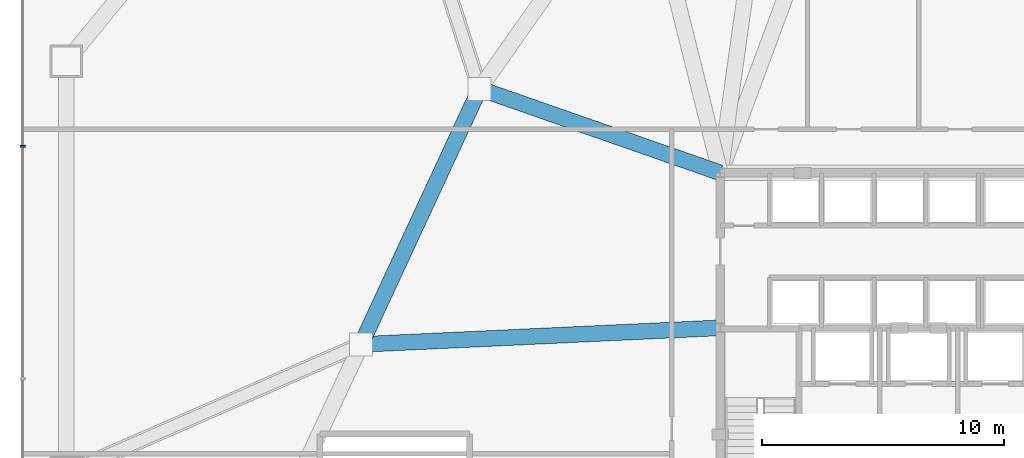
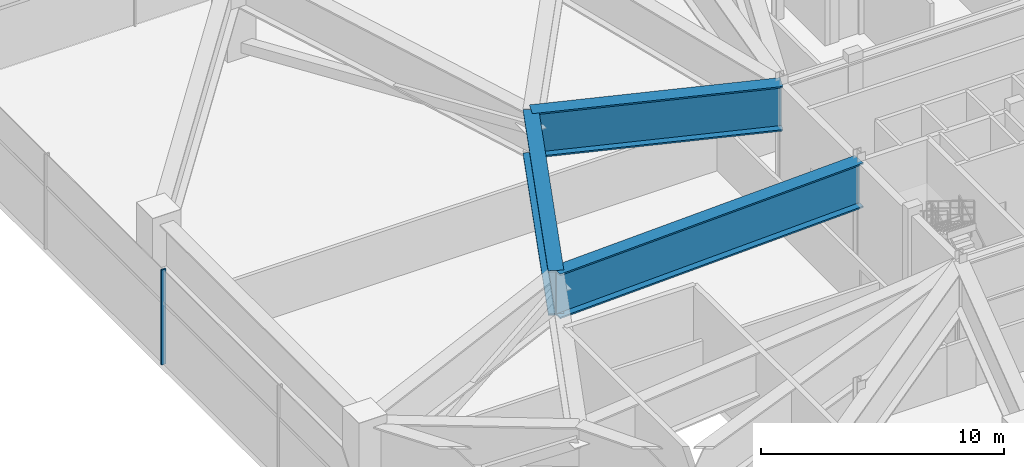
# One storey, part 7 of 29: 3 beams, 1 member, 1 element without a shape of its own.
"""IFC4 building model written with IfcOpenShell, lengths in metres."""

from ifc_helpers import new_model, si_unit, direction, frame, origin, origin_2d, place, context, subcontext, project, spatial, rectangle, i_section, extrude, source, transform, mapped, material, layer, layer_set, material_profile, profile_set, type_object, type_shapes, element, aggregate, save


model = new_model("IFC4")

# Units and contexts
model_context = context("Model", 3, precision=1e-05, world=origin(), true_north=direction((0.0, 1.0)))
body_context = subcontext(model_context, "Body", "Model", "MODEL_VIEW")
ifc_project = project(units=[si_unit("LENGTHUNIT", "METRE"), si_unit("AREAUNIT", "SQUARE_METRE"), si_unit("VOLUMEUNIT", "CUBIC_METRE"), si_unit("PLANEANGLEUNIT", "RADIAN"), si_unit("MASSUNIT", "GRAM", prefix="KILO")], contexts=[model_context])

# Site, building, storey
site_placement = place(None, origin())
site = spatial("IfcSite", under=ifc_project, at=site_placement, CompositionType="ELEMENT")
building_placement = place(site_placement, origin())
building = spatial("IfcBuilding", under=site, at=building_placement, Name="Varakhsha Concourse Tower", CompositionType="ELEMENT")
storey_placement = place(building_placement, frame((0.0, 0.0, 22.0)))
storey = spatial("IfcBuildingStorey", under=building, at=storey_placement, Name="L05", CompositionType="ELEMENT", Elevation=22.0)

# Beams
ifc_material_1 = material(Name="Structural Steel ASTM A992 Grade 50", Category="steel")
ifc_material_profile_1 = material_profile(ifc_material_1, i_section(OverallWidth=0.64990234375, OverallDepth=2.25, WebThickness=0.0400390625, FlangeThickness=0.074951171875, at=origin_2d()), Name="PG 2250x650x75x40")
ifc_profile_set_1 = profile_set([ifc_material_profile_1], Name="Structural Steel ASTM A992 Grade 50")
beam_type = type_object("IfcBeamType", Name="BM-XFER-PG1650", PredefinedType="USERDEFINED", material=ifc_profile_set_1)
beam_1_placement = place(storey_placement, frame((21.865478515625, 34.669921875, 3.655029296875), z_axis=(-0.420598806974, -0.907246737978, 0.0), x_axis=(0.907246737978, -0.420598806974, 0.0)))
element("IfcBeam", 1, at=beam_1_placement, inside=storey, type_object=beam_type, Name="L05 Tower Base Transfer Ring Girder 05", ObjectType="GIRDER", PredefinedType="USERDEFINED", context=body_context, shape_type="SweptSolid", body=[
    extrude(i_section(OverallWidth=0.64990234375, OverallDepth=2.25, WebThickness=0.0400390625, FlangeThickness=0.074951171875, at=origin_2d()), origin(), (0.0, 0.0, 1.0), 11.63232421875),
])
beam_2_placement = place(storey_placement, frame((31.800048828125, 31.199951171875, 3.655029296875), z_axis=(-0.944069395278, 0.329746837587, 0.0), x_axis=(-0.329746837587, -0.944069395278, 0.0)))
element("IfcBeam", 2, at=beam_2_placement, inside=storey, type_object=beam_type, Name="L05 Core Radial Transfer Girder 05", ObjectType="GIRDER", PredefinedType="USERDEFINED", context=body_context, shape_type="SweptSolid", body=[
    extrude(i_section(OverallWidth=0.64990234375, OverallDepth=2.25, WebThickness=0.0400390625, FlangeThickness=0.074951171875, at=origin_2d()), origin(), (0.0, 0.0, 1.0), 10.523193359375),
])
beam_3_placement = place(storey_placement, frame((31.800048828125, 24.800048828125, 3.655029296875), z_axis=(-0.998938892895, -0.046055273992, 0.0), x_axis=(0.046055273992, -0.998938892895, 0.0)))
element("IfcBeam", 3, at=beam_3_placement, inside=storey, type_object=beam_type, Name="L05 Core Radial Transfer Girder 06", ObjectType="GIRDER", PredefinedType="USERDEFINED", context=body_context, shape_type="SweptSolid", body=[
    extrude(i_section(OverallWidth=0.64990234375, OverallDepth=2.25, WebThickness=0.0400390625, FlangeThickness=0.074951171875, at=origin_2d()), origin(), (0.0, 0.0, 1.0), 14.843017578125),
])

# Curtain wall, member
ifc_material_2 = material(Name="Anodised Bronze Architectural Aluminium AA 6063-T6", Category="aluminium")
ifc_layer = layer(ifc_material_2, 0.260009765625, Name="CW-SYS-06")
ifc_layer_set = layer_set([ifc_layer], Name="Anodised Bronze Architectural Aluminium AA 6063-T6")
curtain_wall_type = type_object("IfcCurtainWallType", Name="CW-SYS-06", PredefinedType="NOTDEFINED", material=ifc_layer_set)
curtain_wall_placement = place(storey_placement, origin())
curtain_wall = element("IfcCurtainWall", 4, at=curtain_wall_placement, inside=storey, type_object=curtain_wall_type, Name="L05 Podium Curtain Wall 07", PredefinedType="NOTDEFINED")
ifc_material_profile_2 = material_profile(ifc_material_2, rectangle(XDim=0.074951171875, YDim=0.219970703125, at=origin_2d()), Name="CWM-220X75")
ifc_profile_set_2 = profile_set([ifc_material_profile_2], Name="Anodised Bronze Architectural Aluminium AA 6063-T6")
member_type = type_object("IfcMemberType", Name="CWM-220X75", PredefinedType="MULLION", material=ifc_profile_set_2)
shared_shape = source(origin(), body_context, "Body", "SweptSolid", [
    extrude(rectangle(XDim=0.074951171875, YDim=0.219970703125, at=origin_2d()), origin(), (0.0, 0.0, 1.0), 4.780029296875),
])
type_shapes(member_type, [shared_shape])
member_placement = place(storey_placement, frame((3.0, 32.300048828125, 0.0), z_axis=(0.0, 0.0, 1.0), x_axis=(0.0, -1.0, 0.0)))
member = element("IfcMember", 5, at=member_placement, type_object=member_type, Name="CW-POD-L05-07 Mullion 02", PredefinedType="MULLION", context=body_context, shape_type="MappedRepresentation", body=[
    mapped(shared_shape, transform((0.0, 0.0, 0.0), scale=1.0)),
])
aggregate(curtain_wall, [member])

save(model, "model.ifc")
